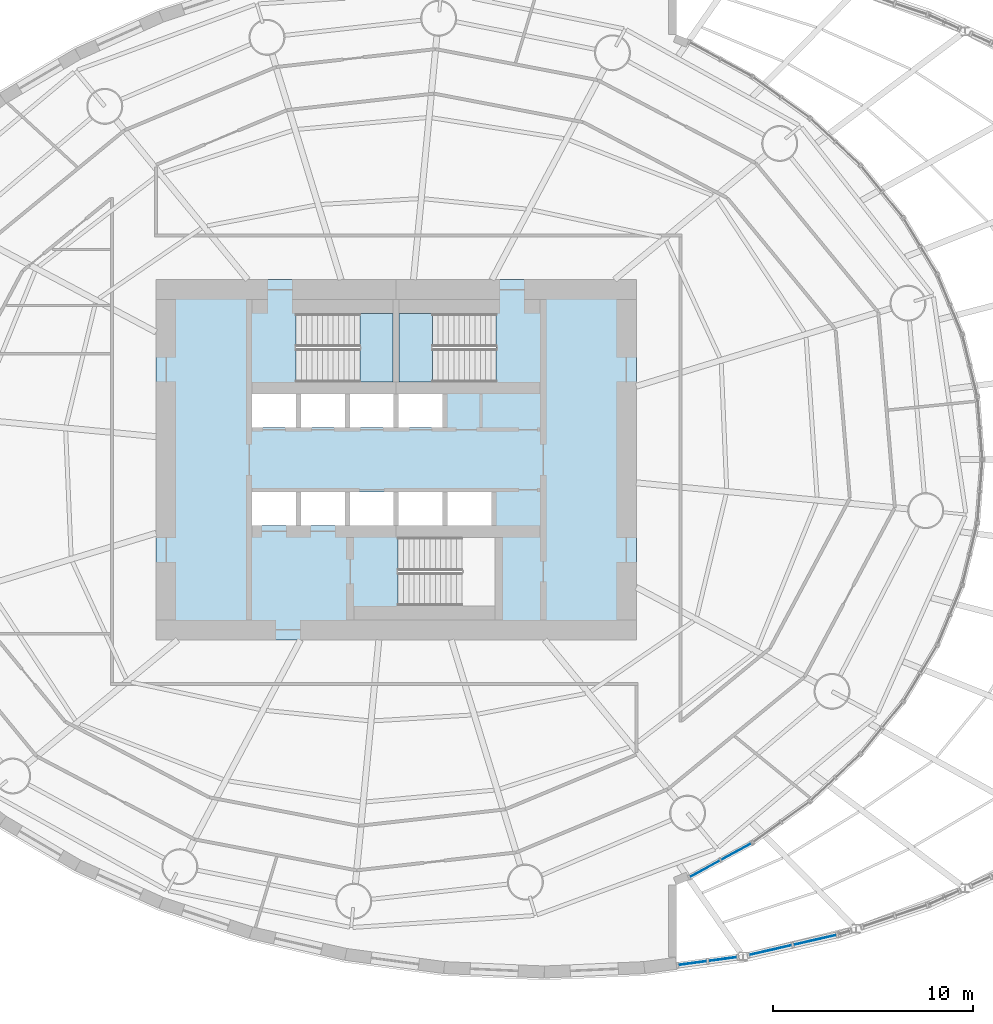
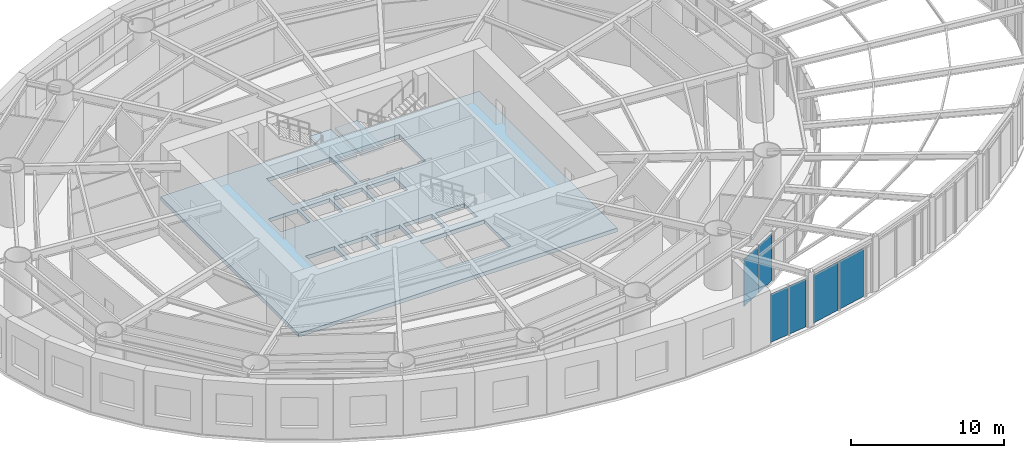
# One storey, part 13 of 23: 6 plates, 3 slabs, 5 elements without a shape of their own.
"""IFC4 building model written with IfcOpenShell, lengths in metres."""

from ifc_helpers import new_model, si_unit, direction, frame, origin, origin_2d, place, context, subcontext, project, spatial, polyline, rectangle, outline, extrude, material, layer, layer_set, type_object, element, aggregate, save


model = new_model("IFC4")

# Units and contexts
model_context = context("Model", 3, precision=1e-05, world=origin(), true_north=direction((0.0, 1.0)))
body_context = subcontext(model_context, "Body", "Model", "MODEL_VIEW")
ifc_project = project(units=[si_unit("LENGTHUNIT", "METRE"), si_unit("AREAUNIT", "SQUARE_METRE"), si_unit("VOLUMEUNIT", "CUBIC_METRE"), si_unit("PLANEANGLEUNIT", "RADIAN"), si_unit("MASSUNIT", "GRAM", prefix="KILO")], contexts=[model_context])

# Site, building, storey
site_placement = place(None, origin())
site = spatial("IfcSite", under=ifc_project, at=site_placement, CompositionType="ELEMENT")
building_placement = place(site_placement, origin())
building = spatial("IfcBuilding", under=site, at=building_placement, Name="Vermilion Reach Broadcast Tower", CompositionType="ELEMENT")
storey_placement = place(building_placement, frame((0.0, 0.0, 31.5)))
storey = spatial("IfcBuildingStorey", under=building, at=storey_placement, Name="L04", CompositionType="ELEMENT", Elevation=31.5)

# Curtain wall, plates
ifc_material_1 = material(Name="Low-e laminated clear glass in aluminium frame", Category="aluminium")
curtain_wall_type_1 = type_object("IfcCurtainWallType", Name="Atrium outer wall curtain wall", PredefinedType="NOTDEFINED", material=ifc_material_1)
placement_1 = place(storey_placement, origin())
curtain_wall_1 = element("IfcCurtainWall", 1, at=placement_1, inside=storey, type_object=curtain_wall_type_1, Name="Atrium wall L04 01", PredefinedType="NOTDEFINED")
ifc_material_2 = material(Name="Low-e laminated clear glass", Category="glass")
ifc_layer_1 = layer(ifc_material_2, 0.035888671875)
ifc_layer_set_1 = layer_set([ifc_layer_1], Name="Atrium outer wall glass panel")
plate_type_1 = type_object("IfcPlateType", Name="Atrium outer wall glass panel", PredefinedType="CURTAIN_PANEL", material=ifc_layer_set_1)
plate_1_placement = place(storey_placement, frame((8.81591796875, -25.15673828125, 0.0), z_axis=(0.0, 0.0, 1.0), x_axis=(0.991143697753, 0.132793713723, 0.0)))
plate_1 = element("IfcPlate", 2, at=plate_1_placement, type_object=plate_type_1, Name="Atrium wall glass panel L04 01.1.1", PredefinedType="CURTAIN_PANEL", context=body_context, shape_type="SweptSolid", body=[
    extrude(rectangle(XDim=1.419921875, YDim=0.035888671875, at=origin_2d()), origin(), (0.0, 0.0, 1.0), 3.840087890625),
])
plate_2_placement = place(storey_placement, frame((10.322265625, -24.954833984375, 0.0), z_axis=(0.0, 0.0, 1.0), x_axis=(0.991143697753, 0.132793713723, 0.0)))
plate_2 = element("IfcPlate", 3, at=plate_2_placement, type_object=plate_type_1, Name="Atrium wall glass panel L04 01.2.1", PredefinedType="CURTAIN_PANEL", context=body_context, shape_type="SweptSolid", body=[
    extrude(rectangle(XDim=1.419921875, YDim=0.035888671875, at=origin_2d()), origin(), (0.0, 0.0, 1.0), 3.840087890625),
])
aggregate(curtain_wall_1, [plate_1, plate_2])

curtain_wall_2 = element("IfcCurtainWall", 4, at=placement_1, inside=storey, type_object=curtain_wall_type_1, Name="Atrium wall L04 02", PredefinedType="NOTDEFINED")
plate_3_placement = place(storey_placement, frame((12.70654296875, -24.505859375, 0.0), z_axis=(0.0, 0.0, 1.0), x_axis=(0.974843253478, 0.222891523278, 0.0)))
plate_3 = element("IfcPlate", 5, at=plate_3_placement, type_object=plate_type_1, Name="Atrium wall glass panel L04 02.1.1", PredefinedType="CURTAIN_PANEL", context=body_context, shape_type="SweptSolid", body=[
    extrude(rectangle(XDim=2.18115234375, YDim=0.035888671875, at=origin_2d()), origin(), (0.0, 0.0, 1.0), 3.840087890625),
])
plate_4_placement = place(storey_placement, frame((14.930419921875, -23.997314453125, 0.0), z_axis=(0.0, 0.0, 1.0), x_axis=(0.974843253478, 0.222891523278, 0.0)))
plate_4 = element("IfcPlate", 6, at=plate_4_placement, type_object=plate_type_1, Name="Atrium wall glass panel L04 02.2.1", PredefinedType="CURTAIN_PANEL", context=body_context, shape_type="SweptSolid", body=[
    extrude(rectangle(XDim=2.18115234375, YDim=0.035888671875, at=origin_2d()), origin(), (0.0, 0.0, 1.0), 3.840087890625),
])
aggregate(curtain_wall_2, [plate_3, plate_4])

# Slab
ifc_material_3 = material(Name="Concrete C40", Category="concrete")
ifc_layer_2 = layer(ifc_material_3, 0.300048828125)
ifc_layer_set_2 = layer_set([ifc_layer_2], Name="Core floor slab 300 mm Concrete C40")
slab_type_1 = type_object("IfcSlabType", Name="Core floor slab 300 mm Concrete C40", PredefinedType="FLOOR", material=ifc_layer_set_2)
slab_1_placement = place(storey_placement, frame((0.0, 0.0, -0.300048828125)))
element("IfcSlab", 7, at=slab_1_placement, inside=storey, type_object=slab_type_1, Name="L04 core floor", PredefinedType="FLOOR", context=body_context, shape_type="SweptSolid", body=[
    extrude(outline(polyline([(-18.0, -9.0), (6.0, -9.0), (6.0, 9.0), (-18.0, 9.0), (-18.0, -9.0)]), holes=[polyline([(-13.199951171875, 1.60009765625), (-11.00830078125, 1.60009765625), (-11.00830078125, 3.280029296875), (-13.199951171875, 3.280029296875), (-13.199951171875, 1.60009765625)]), polyline([(-10.75830078125, 1.60009765625), (-8.566650390625, 1.60009765625), (-8.566650390625, 3.280029296875), (-10.75830078125, 3.280029296875), (-10.75830078125, 1.60009765625)]), polyline([(-8.316650390625, 1.60009765625), (-6.125, 1.60009765625), (-6.125, 3.280029296875), (-8.316650390625, 3.280029296875), (-8.316650390625, 1.60009765625)]), polyline([(-5.875, 1.60009765625), (-3.683349609375, 1.60009765625), (-3.683349609375, 3.280029296875), (-5.875, 3.280029296875), (-5.875, 1.60009765625)]), polyline([(-13.199951171875, -3.280029296875), (-11.00830078125, -3.280029296875), (-11.00830078125, -1.60009765625), (-13.199951171875, -1.60009765625), (-13.199951171875, -3.280029296875)]), polyline([(-10.75830078125, -3.280029296875), (-8.566650390625, -3.280029296875), (-8.566650390625, -1.60009765625), (-10.75830078125, -1.60009765625), (-10.75830078125, -3.280029296875)]), polyline([(-8.316650390625, -3.280029296875), (-6.125, -3.280029296875), (-6.125, -1.60009765625), (-8.316650390625, -1.60009765625), (-8.316650390625, -3.280029296875)]), polyline([(-5.875, -3.280029296875), (-3.683349609375, -3.280029296875), (-3.683349609375, -1.60009765625), (-5.875, -1.60009765625), (-5.875, -3.280029296875)]), polyline([(-3.433349609375, -3.280029296875), (-1.24169921875, -3.280029296875), (-1.24169921875, -1.60009765625), (-3.433349609375, -1.60009765625), (-3.433349609375, -3.280029296875)]), polyline([(-10.999267578125, 3.8798828125), (-6.14990234375, 3.8798828125), (-6.14990234375, 7.300048828125), (-10.999267578125, 7.300048828125), (-10.999267578125, 3.8798828125)]), polyline([(-1.000732421875, 7.300048828125), (-5.85009765625, 7.300048828125), (-5.85009765625, 3.8798828125), (-1.000732421875, 3.8798828125), (-1.000732421875, 7.300048828125)]), polyline([(-5.8994140625, -7.300048828125), (-1.050048828125, -7.300048828125), (-1.050048828125, -3.8798828125), (-5.8994140625, -3.8798828125), (-5.8994140625, -7.300048828125)])]), origin(), (0.0, 0.0, 1.0), 0.300048828125),
])

# Curtain wall, plates
ifc_material_4 = material(Name="Low-e laminated clear glass in aluminium frame", Category="aluminium")
curtain_wall_type_2 = type_object("IfcCurtainWallType", Name="Drum wall curtain wall", PredefinedType="NOTDEFINED", material=ifc_material_4)
curtain_wall_3 = element("IfcCurtainWall", 8, at=placement_1, inside=storey, type_object=curtain_wall_type_2, Name="Drum wall L04 16", PredefinedType="NOTDEFINED")
ifc_material_5 = material(Name="Low-e laminated clear glass", Category="glass")
ifc_layer_3 = layer(ifc_material_5, 0.031982421875)
ifc_layer_set_3 = layer_set([ifc_layer_3], Name="Drum wall glass panel")
plate_type_2 = type_object("IfcPlateType", Name="Drum wall glass panel", PredefinedType="CURTAIN_PANEL", material=ifc_layer_set_3)
plate_5_placement = place(storey_placement, frame((10.984619140625, -19.591796875, 0.0), z_axis=(0.0, 0.0, 1.0), x_axis=(-0.87712110117, -0.480269272265, 0.0)))
plate_5 = element("IfcPlate", 9, at=plate_5_placement, type_object=plate_type_2, Name="Drum wall glass panel L04 16.1.1", PredefinedType="CURTAIN_PANEL", context=body_context, shape_type="SweptSolid", body=[
    extrude(rectangle(XDim=1.6953125, YDim=0.031982421875, at=origin_2d()), origin(), (0.0, 0.0, 1.0), 3.761962890625),
])
plate_6_placement = place(storey_placement, frame((9.427490234375, -20.444580078125, 0.0), z_axis=(0.0, 0.0, 1.0), x_axis=(-0.87712110117, -0.480269272265, 0.0)))
plate_6 = element("IfcPlate", 10, at=plate_6_placement, type_object=plate_type_2, Name="Drum wall glass panel L04 16.2.1", PredefinedType="CURTAIN_PANEL", context=body_context, shape_type="SweptSolid", body=[
    extrude(rectangle(XDim=1.6953125, YDim=0.031982421875, at=origin_2d()), origin(), (0.0, 0.0, 1.0), 3.761962890625),
])
aggregate(curtain_wall_3, [plate_5, plate_6])

# Stair, slab
ifc_material_6 = material(Name="Concrete C40", Category="concrete")
stair_type = type_object("IfcStairType", Name="Exit stair RC 26 risers 173 mm", PredefinedType="HALF_TURN_STAIR", material=ifc_material_6)
stair_1 = element("IfcStair", 11, at=placement_1, inside=storey, type_object=stair_type, Name="L04 Exit stair ST1", PredefinedType="HALF_TURN_STAIR")
ifc_material_7 = material(Name="Concrete C40", Category="concrete")
ifc_layer_4 = layer(ifc_material_7, 0.199951171875)
ifc_layer_set_4 = layer_set([ifc_layer_4], Name="Exit stair landing Concrete C40")
slab_type_2 = type_object("IfcSlabType", Name="Exit stair landing Concrete C40", PredefinedType="LANDING", material=ifc_layer_set_4)
placement_2 = place(storey_placement, frame((0.0, 0.0, 2.050048828125)))
slab_2 = element("IfcSlab", 12, at=placement_2, type_object=slab_type_2, Name="ST1 landing 1", PredefinedType="LANDING", context=body_context, shape_type="SweptSolid", body=[
    extrude(outline(polyline([(-7.820068359375, 3.8798828125), (-6.14990234375, 3.8798828125), (-6.14990234375, 7.300048828125), (-7.820068359375, 7.300048828125), (-7.820068359375, 3.8798828125)])), origin(), (0.0, 0.0, 1.0), 0.199951171875),
])
aggregate(stair_1, [slab_2])

stair_2 = element("IfcStair", 13, at=placement_1, inside=storey, type_object=stair_type, Name="L04 Exit stair ST2", PredefinedType="HALF_TURN_STAIR")
slab_3 = element("IfcSlab", 14, at=placement_2, type_object=slab_type_2, Name="ST2 landing 1", PredefinedType="LANDING", context=body_context, shape_type="SweptSolid", body=[
    extrude(outline(polyline([(-4.179931640625, 7.300048828125), (-5.85009765625, 7.300048828125), (-5.85009765625, 3.8798828125), (-4.179931640625, 3.8798828125), (-4.179931640625, 7.300048828125)])), origin(), (0.0, 0.0, 1.0), 0.199951171875),
])
aggregate(stair_2, [slab_3])

save(model, "model.ifc")
